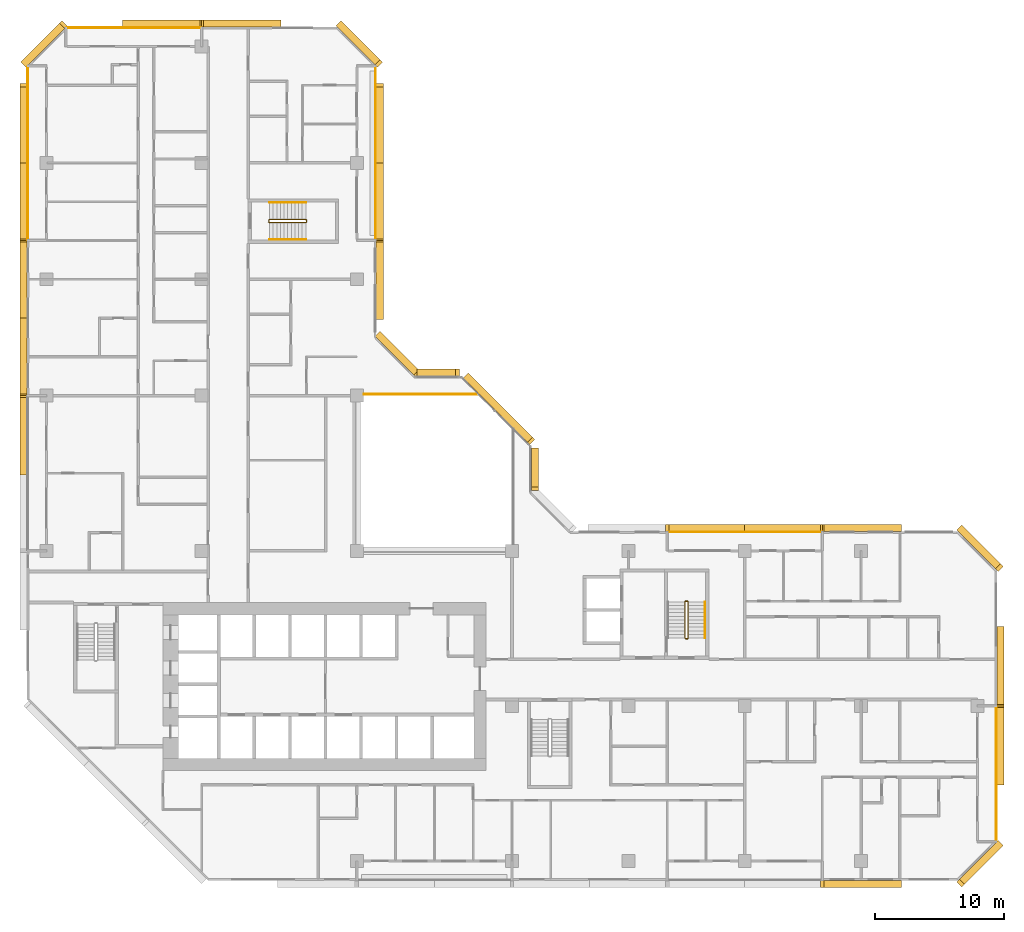
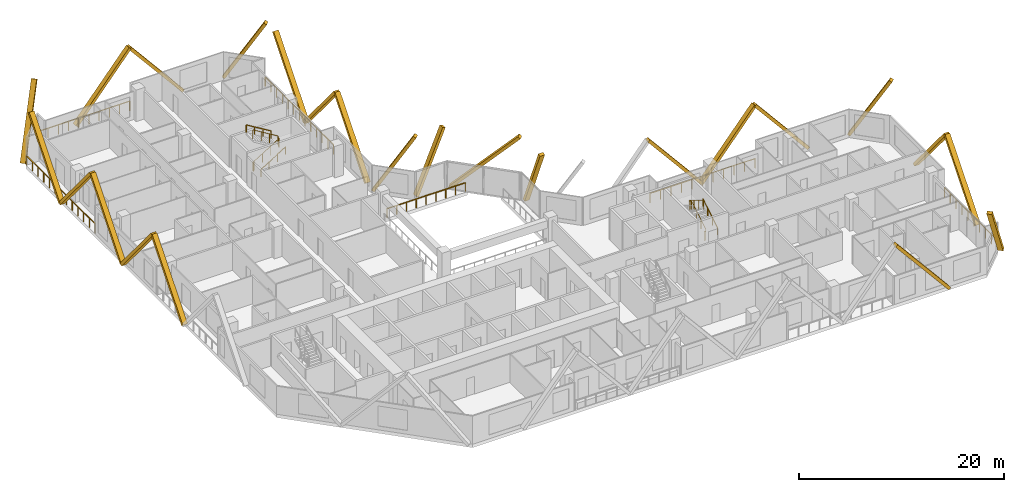
# One storey, part 15 of 15: 24 coverings, 11 railings.
"""IFC4 building model written with IfcOpenShell, lengths in metres."""

import ifcopenshell
import ifcopenshell.guid

model = None  # the IFC model being written
_history = None  # IfcOwnerHistory: only IFC2X3 demands one
_inside = {}  # id of a spatial element -> (the spatial element, [elements in it])
_under = {}  # id of a project, library or spatial element -> (it, [spatial elements below it])
_declared = {}  # id of a project -> (the project, [libraries it declares])
_typed = {}  # id of a type object -> (the type object, [elements of that type])
_made_of = {}  # id of a material, layer set ... -> (it, [elements and type objects made of it])


def new_model(schema):
    """Start an empty IFC model of exactly this schema.

    Asked for "IFC4X3", IfcOpenShell would pick the latest addendum, in which some entities
    have other attributes; the version numbers below select the first issue.
    IFC2X3 requires an IfcOwnerHistory on every rooted entity: one is made here for all.
    """
    global model, _history
    if schema == "IFC4X3":
        model = ifcopenshell.file(schema_version=(4, 3, 0, 0))
    else:
        model = ifcopenshell.file(schema=schema)
    _inside.clear()
    _under.clear()
    _declared.clear()
    _typed.clear()
    _made_of.clear()
    _history = None
    if model.schema == "IFC2X3":
        org = make("IfcOrganization", Name="unknown")
        user = make(
            "IfcPersonAndOrganization",
            ThePerson=make("IfcPerson", FamilyName="unknown"),
            TheOrganization=org,
        )
        app = make(
            "IfcApplication",
            ApplicationDeveloper=org,
            Version="unknown",
            ApplicationFullName="unknown",
            ApplicationIdentifier="unknown",
        )
        _history = make(
            "IfcOwnerHistory",
            OwningUser=user,
            OwningApplication=app,
            ChangeAction="ADDED",
            CreationDate=0,
        )
    return model


def make(cls, **values):
    """One entity of the class cls with the attributes given. An attribute that is None is left unset."""
    return model.create_entity(
        cls, **{name: value for name, value in values.items() if value is not None}
    )


def rooted(cls, **values):
    """An entity with a GlobalId (a new one), such as an element, a storey or a relation."""
    return make(cls, GlobalId=ifcopenshell.guid.new(), OwnerHistory=_history, **values)


def si_unit(unit_type, name, prefix=None):
    """IfcSIUnit, for example si_unit("LENGTHUNIT", "METRE", prefix="MILLI")."""
    return make("IfcSIUnit", UnitType=unit_type, Prefix=prefix, Name=name)


def assignment(units):
    """IfcUnitAssignment: the units of a project."""
    return None if units is None else make("IfcUnitAssignment", Units=units)


def point(xyz):
    """IfcCartesianPoint."""
    return None if xyz is None else make("IfcCartesianPoint", Coordinates=xyz)


def direction(xyz):
    """IfcDirection."""
    return None if xyz is None else make("IfcDirection", DirectionRatios=xyz)


def frame(location, z_axis=None, x_axis=None):
    """IfcAxis2Placement3D, a coordinate frame: its origin and axes. An axis left out is left unset."""
    return make(
        "IfcAxis2Placement3D",
        Location=point(location),
        Axis=direction(z_axis),
        RefDirection=direction(x_axis),
    )


def frame_2d(location, x_axis=None):
    """IfcAxis2Placement2D, a coordinate frame in the plane: its origin and x axis."""
    return make(
        "IfcAxis2Placement2D", Location=point(location), RefDirection=direction(x_axis)
    )


def origin():
    """The frame at (0, 0, 0) with its axes left unset."""
    return frame((0.0, 0.0, 0.0))


def origin_2d():
    """The frame at (0, 0) in the plane with its x axis left unset."""
    return frame_2d((0.0, 0.0))


def place(relative_to, where):
    """IfcLocalPlacement: puts the frame where relative to a parent placement (None: the world)."""
    return make(
        "IfcLocalPlacement", PlacementRelTo=relative_to, RelativePlacement=where
    )


def context(
    kind, dimensions, precision=None, world=None, true_north=None, identifier=None
):
    """IfcGeometricRepresentationContext, for example the 3D "Model" context."""
    return make(
        "IfcGeometricRepresentationContext",
        ContextIdentifier=identifier,
        ContextType=kind,
        CoordinateSpaceDimension=dimensions,
        Precision=precision,
        WorldCoordinateSystem=world,
        TrueNorth=true_north,
    )


def subcontext(parent, identifier, kind, view, scale=None):
    """IfcGeometricRepresentationSubContext, for example "Body" below "Model"."""
    return make(
        "IfcGeometricRepresentationSubContext",
        ContextIdentifier=identifier,
        ContextType=kind,
        ParentContext=parent,
        TargetScale=scale,
        TargetView=view,
    )


def project(units=None, contexts=None):
    """IfcProject with its units and contexts."""
    return rooted(
        "IfcProject",
        Name="project",
        RepresentationContexts=contexts,
        UnitsInContext=assignment(units),
    )


def spatial(cls, under=None, at=None, **own):
    """A site, building, storey or space (cls), placed at a placement, below another one or the project."""
    s = rooted(cls, ObjectPlacement=at, **own)
    if under is not None:
        _under.setdefault(under.id(), (under, []))[1].append(s)
    return s


def profile(cls, at=None, kind="AREA", **sizes):
    """A parametric profile (cls). Its sizes go by their IFC names, for example OverallWidth=200.0."""
    return make(cls, ProfileType=kind, Position=at, **sizes)


def rectangle(**sizes):
    """IfcRectangleProfileDef."""
    return profile("IfcRectangleProfileDef", **sizes)


def extrude(swept, where, along, depth):
    """IfcExtrudedAreaSolid: the profile swept, set in the frame where, extruded along a direction by depth."""
    return make(
        "IfcExtrudedAreaSolid",
        SweptArea=swept,
        Position=where,
        ExtrudedDirection=direction(along),
        Depth=depth,
    )


def shape(context_of_items, identifier, shape_type, items):
    """IfcShapeRepresentation: the items that make up one representation, for example the "Body"."""
    return make(
        "IfcShapeRepresentation",
        ContextOfItems=context_of_items,
        RepresentationIdentifier=identifier,
        RepresentationType=shape_type,
        Items=items,
    )


def material(Name=None, Category=None):
    """IfcMaterial."""
    return make("IfcMaterial", Name=Name, Category=Category)


def material_profile(
    of_material, cross_section, Name=None, Category=None, Priority=None
):
    """IfcMaterialProfile: a cross section and its material."""
    return make(
        "IfcMaterialProfile",
        Name=Name,
        Material=of_material,
        Profile=cross_section,
        Priority=Priority,
        Category=Category,
    )


def profile_set(profiles, Name=None, composite=None):
    """IfcMaterialProfileSet."""
    return make(
        "IfcMaterialProfileSet",
        Name=Name,
        MaterialProfiles=profiles,
        CompositeProfile=composite,
    )


def made_of(thing, what):
    """Note that an element or type object is made of a material, layer set ...; save() writes the relation."""
    if what is not None:
        _made_of.setdefault(what.id(), (what, []))[1].append(thing)
    return thing


def type_object(cls, material=None, **own):
    """A type object (cls), such as IfcWallType, which elements share."""
    return made_of(rooted(cls, **own), material)


def element(
    cls,
    number,
    at=None,
    inside=None,
    cuts=None,
    type_object=None,
    material=None,
    context=None,
    identifier="Body",
    shape_type=None,
    held_by="IfcProductDefinitionShape",
    body=None,
    shapes=None,
    **own,
):
    """One element of the class cls, such as IfcWall. Its Tag is "e" and its number.

    at: its placement. inside: the storey or other place that contains it. cuts: it is an
    opening in that element (IfcRelVoidsElement). A single representation is given by context,
    identifier, shape_type and body (its items); several are given by shapes. held_by: the class
    of the entity that holds the representations. save() writes the other relations.
    """
    e = rooted(cls, Tag="e%d" % number, ObjectPlacement=at, **own)
    if body is not None:
        shapes = [shape(context, identifier, shape_type, body)]
    if shapes is not None:
        e.Representation = make(held_by, Representations=shapes)
    if inside is not None:
        _inside.setdefault(inside.id(), (inside, []))[1].append(e)
    if cuts is not None:
        rooted(
            "IfcRelVoidsElement", RelatingBuildingElement=cuts, RelatedOpeningElement=e
        )
    if type_object is not None:
        _typed.setdefault(type_object.id(), (type_object, []))[1].append(e)
    return made_of(e, material)


def aggregate(whole, parts):
    """IfcRelAggregates: a whole, such as a stair, and the parts it consists of."""
    return rooted("IfcRelAggregates", RelatingObject=whole, RelatedObjects=parts)


def save(model, path):
    """Write the relations noted so far, then the file.

    IfcRelAggregates (storeys below a building ...), IfcRelContainedInSpatialStructure (elements
    in a storey), IfcRelDefinesByType, IfcRelAssociatesMaterial and IfcRelDeclares: one each for
    every whole, place, type object, material and project.
    """
    for whole, parts in _under.values():
        aggregate(whole, parts)
    for where, things in _inside.values():
        rooted(
            "IfcRelContainedInSpatialStructure",
            RelatedElements=things,
            RelatingStructure=where,
        )
    for kind, things in _typed.values():
        rooted("IfcRelDefinesByType", RelatedObjects=things, RelatingType=kind)
    for what, things in _made_of.values():
        rooted("IfcRelAssociatesMaterial", RelatedObjects=things, RelatingMaterial=what)
    for by, libraries in _declared.values():
        rooted("IfcRelDeclares", RelatingContext=by, RelatedDefinitions=libraries)
    model.write(path)


model = new_model("IFC4")

# Units and contexts
model_context = context("Model", 3, precision=1e-05, world=origin(), true_north=direction((0.0, 1.0)))
body_context = subcontext(model_context, "Body", "Model", "MODEL_VIEW")
ifc_project = project(units=[si_unit("LENGTHUNIT", "METRE"), si_unit("AREAUNIT", "SQUARE_METRE"), si_unit("VOLUMEUNIT", "CUBIC_METRE"), si_unit("PLANEANGLEUNIT", "RADIAN"), si_unit("MASSUNIT", "GRAM", prefix="KILO")], contexts=[model_context])

# Site, building, storey
site_placement = place(None, origin())
site = spatial("IfcSite", under=ifc_project, at=site_placement, CompositionType="ELEMENT")
building_placement = place(site_placement, origin())
building = spatial("IfcBuilding", under=site, at=building_placement, Name="Chenar Terraces", CompositionType="ELEMENT")
storey_placement = place(building_placement, frame((0.0, 0.0, 121.89990234375)))
storey = spatial("IfcBuildingStorey", under=building, at=storey_placement, Name="L28", CompositionType="ELEMENT", Elevation=121.89990234375)

# Railings
ifc_material_1 = material(Name="Powder-coated steel", Category="steel")
railing_type_1 = type_object("IfcRailingType", Name="Guard 1100 steel rail with glass infill", PredefinedType="GUARDRAIL", material=ifc_material_1)
railing_1_placement = place(storey_placement, frame((24.550048828125, 36.10009765625, 0.0)))
element("IfcRailing", 1, at=railing_1_placement, inside=storey, type_object=railing_type_1, Name="Guard L28-2", PredefinedType="GUARDRAIL", context=body_context, shape_type="SweptSolid", body=[
    extrude(rectangle(XDim=0.06005859375, YDim=0.06005859375, at=origin_2d()), frame((0.0, 0.0, 1.070068359375), z_axis=(1.0, 0.0, 0.0), x_axis=(0.0, 1.0, 0.0)), (0.0, 0.0, 1.0), 8.849853515625),
    extrude(rectangle(XDim=0.050048828125, YDim=0.050048828125, at=origin_2d()), origin(), (0.0, 0.0, 1.0), 1.0400390625),
    extrude(rectangle(XDim=0.050048828125, YDim=0.050048828125, at=origin_2d()), frame((1.106201171875, 0.0, 0.0)), (0.0, 0.0, 1.0), 1.0400390625),
    extrude(rectangle(XDim=0.050048828125, YDim=0.050048828125, at=origin_2d()), frame((2.21240234375, 0.0, 0.0)), (0.0, 0.0, 1.0), 1.0400390625),
    extrude(rectangle(XDim=0.050048828125, YDim=0.050048828125, at=origin_2d()), frame((3.318603515625, 0.0, 0.0)), (0.0, 0.0, 1.0), 1.0400390625),
    extrude(rectangle(XDim=0.050048828125, YDim=0.050048828125, at=origin_2d()), frame((4.4248046875, 0.0, 0.0)), (0.0, 0.0, 1.0), 1.0400390625),
    extrude(rectangle(XDim=0.050048828125, YDim=0.050048828125, at=origin_2d()), frame((5.53125, 0.0, 0.0)), (0.0, 0.0, 1.0), 1.0400390625),
    extrude(rectangle(XDim=0.050048828125, YDim=0.050048828125, at=origin_2d()), frame((6.637451171875, 0.0, 0.0)), (0.0, 0.0, 1.0), 1.0400390625),
    extrude(rectangle(XDim=0.050048828125, YDim=0.050048828125, at=origin_2d()), frame((7.74365234375, 0.0, 0.0)), (0.0, 0.0, 1.0), 1.0400390625),
    extrude(rectangle(XDim=0.050048828125, YDim=0.050048828125, at=origin_2d()), frame((8.849853515625, 0.0, 0.0)), (0.0, 0.0, 1.0), 1.0400390625),
])
ifc_material_2 = material(Name="Stainless steel and glass", Category="steel")
railing_type_2 = type_object("IfcRailingType", Name="Loggia guard 1150", PredefinedType="GUARDRAIL", material=ifc_material_2)
railing_2_placement = place(storey_placement, frame((25.449951171875, 48.074951171875, 0.0)))
element("IfcRailing", 2, at=railing_2_placement, inside=storey, type_object=railing_type_2, Name="Loggia guard", PredefinedType="GUARDRAIL", context=body_context, shape_type="SweptSolid", body=[
    extrude(rectangle(XDim=0.048095703125, YDim=0.048095703125, at=origin_2d()), frame((0.0, 0.0, 1.1259765625), z_axis=(0.0, 1.0, 0.0), x_axis=(-1.0, 0.0, 0.0)), (0.0, 0.0, 1.0), 13.35009765625),
    extrude(rectangle(XDim=0.0419921875, YDim=0.0419921875, at=origin_2d()), origin(), (0.0, 0.0, 1.0), 1.101806640625),
    extrude(rectangle(XDim=0.0419921875, YDim=0.0419921875, at=origin_2d()), frame((0.0, 1.112548828125, 0.0)), (0.0, 0.0, 1.0), 1.101806640625),
    extrude(rectangle(XDim=0.0419921875, YDim=0.0419921875, at=origin_2d()), frame((0.0, 2.22509765625, 0.0)), (0.0, 0.0, 1.0), 1.101806640625),
    extrude(rectangle(XDim=0.0419921875, YDim=0.0419921875, at=origin_2d()), frame((0.0, 3.33740234375, 0.0)), (0.0, 0.0, 1.0), 1.101806640625),
    extrude(rectangle(XDim=0.0419921875, YDim=0.0419921875, at=origin_2d()), frame((0.0, 4.449951171875, 0.0)), (0.0, 0.0, 1.0), 1.101806640625),
    extrude(rectangle(XDim=0.0419921875, YDim=0.0419921875, at=origin_2d()), frame((0.0, 5.5625, 0.0)), (0.0, 0.0, 1.0), 1.101806640625),
    extrude(rectangle(XDim=0.0419921875, YDim=0.0419921875, at=origin_2d()), frame((0.0, 6.675048828125, 0.0)), (0.0, 0.0, 1.0), 1.101806640625),
    extrude(rectangle(XDim=0.0419921875, YDim=0.0419921875, at=origin_2d()), frame((0.0, 7.78759765625, 0.0)), (0.0, 0.0, 1.0), 1.101806640625),
    extrude(rectangle(XDim=0.0419921875, YDim=0.0419921875, at=origin_2d()), frame((0.0, 8.900146484375, 0.0)), (0.0, 0.0, 1.0), 1.101806640625),
    extrude(rectangle(XDim=0.0419921875, YDim=0.0419921875, at=origin_2d()), frame((0.0, 10.0126953125, 0.0)), (0.0, 0.0, 1.0), 1.101806640625),
    extrude(rectangle(XDim=0.0419921875, YDim=0.0419921875, at=origin_2d()), frame((0.0, 11.125, 0.0)), (0.0, 0.0, 1.0), 1.101806640625),
    extrude(rectangle(XDim=0.0419921875, YDim=0.0419921875, at=origin_2d()), frame((0.0, 12.237548828125, 0.0)), (0.0, 0.0, 1.0), 1.101806640625),
    extrude(rectangle(XDim=0.0419921875, YDim=0.0419921875, at=origin_2d()), frame((0.0, 13.35009765625, 0.0)), (0.0, 0.0, 1.0), 1.101806640625),
])
railing_3_placement = place(storey_placement, frame((73.449951171875, 1.574951171875, 0.0)))
element("IfcRailing", 3, at=railing_3_placement, inside=storey, type_object=railing_type_2, Name="Loggia guard", PredefinedType="GUARDRAIL", context=body_context, shape_type="SweptSolid", body=[
    extrude(rectangle(XDim=0.048095703125, YDim=0.048095703125, at=origin_2d()), frame((0.0, 0.0, 1.1259765625), z_axis=(0.0, 1.0, 0.0), x_axis=(-1.0, 0.0, 0.0)), (0.0, 0.0, 1.0), 10.35009765625),
    extrude(rectangle(XDim=0.0419921875, YDim=0.0419921875, at=origin_2d()), origin(), (0.0, 0.0, 1.0), 1.101806640625),
    extrude(rectangle(XDim=0.0419921875, YDim=0.0419921875, at=origin_2d()), frame((0.0, 1.14990234375, 0.0)), (0.0, 0.0, 1.0), 1.101806640625),
    extrude(rectangle(XDim=0.0419921875, YDim=0.0419921875, at=origin_2d()), frame((0.0, 2.300048828125, 0.0)), (0.0, 0.0, 1.0), 1.101806640625),
    extrude(rectangle(XDim=0.0419921875, YDim=0.0419921875, at=origin_2d()), frame((0.0, 3.449951171875, 0.0)), (0.0, 0.0, 1.0), 1.101806640625),
    extrude(rectangle(XDim=0.0419921875, YDim=0.0419921875, at=origin_2d()), frame((0.0, 4.60009765625, 0.0)), (0.0, 0.0, 1.0), 1.101806640625),
    extrude(rectangle(XDim=0.0419921875, YDim=0.0419921875, at=origin_2d()), frame((0.0, 5.75, 0.0)), (0.0, 0.0, 1.0), 1.101806640625),
    extrude(rectangle(XDim=0.0419921875, YDim=0.0419921875, at=origin_2d()), frame((0.0, 6.900146484375, 0.0)), (0.0, 0.0, 1.0), 1.101806640625),
    extrude(rectangle(XDim=0.0419921875, YDim=0.0419921875, at=origin_2d()), frame((0.0, 8.050048828125, 0.0)), (0.0, 0.0, 1.0), 1.101806640625),
    extrude(rectangle(XDim=0.0419921875, YDim=0.0419921875, at=origin_2d()), frame((0.0, 9.2001953125, 0.0)), (0.0, 0.0, 1.0), 1.101806640625),
    extrude(rectangle(XDim=0.0419921875, YDim=0.0419921875, at=origin_2d()), frame((0.0, 10.35009765625, 0.0)), (0.0, 0.0, 1.0), 1.101806640625),
])
railing_4_placement = place(storey_placement, frame((59.925048828125, 25.449951171875, 0.0)))
element("IfcRailing", 4, at=railing_4_placement, inside=storey, type_object=railing_type_2, Name="Loggia guard", PredefinedType="GUARDRAIL", context=body_context, shape_type="SweptSolid", body=[
    extrude(rectangle(XDim=0.048095703125, YDim=0.048095703125, at=origin_2d()), frame((0.0, 0.0, 1.1259765625), z_axis=(-1.0, 0.0, 0.0), x_axis=(0.0, -1.0, 0.0)), (0.0, 0.0, 1.0), 11.85009765625),
    extrude(rectangle(XDim=0.0419921875, YDim=0.0419921875, at=origin_2d()), origin(), (0.0, 0.0, 1.0), 1.101806640625),
    extrude(rectangle(XDim=0.0419921875, YDim=0.0419921875, at=origin_2d()), frame((-1.18505859375, 0.0, 0.0)), (0.0, 0.0, 1.0), 1.101806640625),
    extrude(rectangle(XDim=0.0419921875, YDim=0.0419921875, at=origin_2d()), frame((-2.3701171875, 0.0, 0.0)), (0.0, 0.0, 1.0), 1.101806640625),
    extrude(rectangle(XDim=0.0419921875, YDim=0.0419921875, at=origin_2d()), frame((-3.554931640625, 0.0, 0.0)), (0.0, 0.0, 1.0), 1.101806640625),
    extrude(rectangle(XDim=0.0419921875, YDim=0.0419921875, at=origin_2d()), frame((-4.739990234375, 0.0, 0.0)), (0.0, 0.0, 1.0), 1.101806640625),
    extrude(rectangle(XDim=0.0419921875, YDim=0.0419921875, at=origin_2d()), frame((-5.925048828125, 0.0, 0.0)), (0.0, 0.0, 1.0), 1.101806640625),
    extrude(rectangle(XDim=0.0419921875, YDim=0.0419921875, at=origin_2d()), frame((-7.110107421875, 0.0, 0.0)), (0.0, 0.0, 1.0), 1.101806640625),
    extrude(rectangle(XDim=0.0419921875, YDim=0.0419921875, at=origin_2d()), frame((-8.295166015625, 0.0, 0.0)), (0.0, 0.0, 1.0), 1.101806640625),
    extrude(rectangle(XDim=0.0419921875, YDim=0.0419921875, at=origin_2d()), frame((-9.47998046875, 0.0, 0.0)), (0.0, 0.0, 1.0), 1.101806640625),
    extrude(rectangle(XDim=0.0419921875, YDim=0.0419921875, at=origin_2d()), frame((-10.6650390625, 0.0, 0.0)), (0.0, 0.0, 1.0), 1.101806640625),
    extrude(rectangle(XDim=0.0419921875, YDim=0.0419921875, at=origin_2d()), frame((-11.85009765625, 0.0, 0.0)), (0.0, 0.0, 1.0), 1.101806640625),
])
railing_5_placement = place(storey_placement, frame((11.925048828125, 64.449951171875, 0.0)))
element("IfcRailing", 5, at=railing_5_placement, inside=storey, type_object=railing_type_2, Name="Loggia guard", PredefinedType="GUARDRAIL", context=body_context, shape_type="SweptSolid", body=[
    extrude(rectangle(XDim=0.048095703125, YDim=0.048095703125, at=origin_2d()), frame((0.0, 0.0, 1.1259765625), z_axis=(-1.0, 0.0, 0.0), x_axis=(0.0, -1.0, 0.0)), (0.0, 0.0, 1.0), 10.35009765625),
    extrude(rectangle(XDim=0.0419921875, YDim=0.0419921875, at=origin_2d()), origin(), (0.0, 0.0, 1.0), 1.101806640625),
    extrude(rectangle(XDim=0.0419921875, YDim=0.0419921875, at=origin_2d()), frame((-1.14990234375, 0.0, 0.0)), (0.0, 0.0, 1.0), 1.101806640625),
    extrude(rectangle(XDim=0.0419921875, YDim=0.0419921875, at=origin_2d()), frame((-2.300048828125, 0.0, 0.0)), (0.0, 0.0, 1.0), 1.101806640625),
    extrude(rectangle(XDim=0.0419921875, YDim=0.0419921875, at=origin_2d()), frame((-3.449951171875, 0.0, 0.0)), (0.0, 0.0, 1.0), 1.101806640625),
    extrude(rectangle(XDim=0.0419921875, YDim=0.0419921875, at=origin_2d()), frame((-4.60009765625, 0.0, 0.0)), (0.0, 0.0, 1.0), 1.101806640625),
    extrude(rectangle(XDim=0.0419921875, YDim=0.0419921875, at=origin_2d()), frame((-5.75, 0.0, 0.0)), (0.0, 0.0, 1.0), 1.101806640625),
    extrude(rectangle(XDim=0.0419921875, YDim=0.0419921875, at=origin_2d()), frame((-6.900146484375, 0.0, 0.0)), (0.0, 0.0, 1.0), 1.101806640625),
    extrude(rectangle(XDim=0.0419921875, YDim=0.0419921875, at=origin_2d()), frame((-8.050048828125, 0.0, 0.0)), (0.0, 0.0, 1.0), 1.101806640625),
    extrude(rectangle(XDim=0.0419921875, YDim=0.0419921875, at=origin_2d()), frame((-9.2001953125, 0.0, 0.0)), (0.0, 0.0, 1.0), 1.101806640625),
    extrude(rectangle(XDim=0.0419921875, YDim=0.0419921875, at=origin_2d()), frame((-10.35009765625, 0.0, 0.0)), (0.0, 0.0, 1.0), 1.101806640625),
])
railing_6_placement = place(storey_placement, frame((-1.449951171875, 61.425048828125, 0.0)))
element("IfcRailing", 6, at=railing_6_placement, inside=storey, type_object=railing_type_2, Name="Loggia guard", PredefinedType="GUARDRAIL", context=body_context, shape_type="SweptSolid", body=[
    extrude(rectangle(XDim=0.048095703125, YDim=0.048095703125, at=origin_2d()), frame((0.0, 0.0, 1.1259765625), z_axis=(0.0, -1.0, 0.0), x_axis=(1.0, 0.0, 0.0)), (0.0, 0.0, 1.0), 13.35009765625),
    extrude(rectangle(XDim=0.0419921875, YDim=0.0419921875, at=origin_2d()), origin(), (0.0, 0.0, 1.0), 1.101806640625),
    extrude(rectangle(XDim=0.0419921875, YDim=0.0419921875, at=origin_2d()), frame((0.0, -1.112548828125, 0.0)), (0.0, 0.0, 1.0), 1.101806640625),
    extrude(rectangle(XDim=0.0419921875, YDim=0.0419921875, at=origin_2d()), frame((0.0, -2.22509765625, 0.0)), (0.0, 0.0, 1.0), 1.101806640625),
    extrude(rectangle(XDim=0.0419921875, YDim=0.0419921875, at=origin_2d()), frame((0.0, -3.33740234375, 0.0)), (0.0, 0.0, 1.0), 1.101806640625),
    extrude(rectangle(XDim=0.0419921875, YDim=0.0419921875, at=origin_2d()), frame((0.0, -4.449951171875, 0.0)), (0.0, 0.0, 1.0), 1.101806640625),
    extrude(rectangle(XDim=0.0419921875, YDim=0.0419921875, at=origin_2d()), frame((0.0, -5.5625, 0.0)), (0.0, 0.0, 1.0), 1.101806640625),
    extrude(rectangle(XDim=0.0419921875, YDim=0.0419921875, at=origin_2d()), frame((0.0, -6.675048828125, 0.0)), (0.0, 0.0, 1.0), 1.101806640625),
    extrude(rectangle(XDim=0.0419921875, YDim=0.0419921875, at=origin_2d()), frame((0.0, -7.78759765625, 0.0)), (0.0, 0.0, 1.0), 1.101806640625),
    extrude(rectangle(XDim=0.0419921875, YDim=0.0419921875, at=origin_2d()), frame((0.0, -8.900146484375, 0.0)), (0.0, 0.0, 1.0), 1.101806640625),
    extrude(rectangle(XDim=0.0419921875, YDim=0.0419921875, at=origin_2d()), frame((0.0, -10.0126953125, 0.0)), (0.0, 0.0, 1.0), 1.101806640625),
    extrude(rectangle(XDim=0.0419921875, YDim=0.0419921875, at=origin_2d()), frame((0.0, -11.125, 0.0)), (0.0, 0.0, 1.0), 1.101806640625),
    extrude(rectangle(XDim=0.0419921875, YDim=0.0419921875, at=origin_2d()), frame((0.0, -12.237548828125, 0.0)), (0.0, 0.0, 1.0), 1.101806640625),
    extrude(rectangle(XDim=0.0419921875, YDim=0.0419921875, at=origin_2d()), frame((0.0, -13.35009765625, 0.0)), (0.0, 0.0, 1.0), 1.101806640625),
])
ifc_material_3 = material(Name="Powder-coated steel", Category="steel")
railing_type_3 = type_object("IfcRailingType", Name="Stair guard 1100", PredefinedType="GUARDRAIL", material=ifc_material_3)
railing_7_placement = place(storey_placement, frame((49.375, 17.25, 3.75)))
element("IfcRailing", 7, at=railing_7_placement, inside=storey, type_object=railing_type_3, Name="L28 ST3 stair guard 1", PredefinedType="GUARDRAIL", context=body_context, shape_type="SweptSolid", body=[
    extrude(rectangle(XDim=0.048095703125, YDim=0.048095703125, at=origin_2d()), frame((0.0, 0.0, 1.076171875), z_axis=(0.0, 0.854202870247, -0.519939858505), x_axis=(-1.0, 0.0, 0.0)), (0.0, 0.0, 1.0), 3.278076171875),
    extrude(rectangle(XDim=0.048095703125, YDim=0.048095703125, at=origin_2d()), frame((0.0, 2.800048828125, -0.62841796875), z_axis=(0.270899902878, 0.270899902878, -0.923702595667), x_axis=(-0.707106781187, 0.707106781187, 0.0)), (0.0, 0.0, 1.0), 0.184814453125),
    extrude(rectangle(XDim=0.048095703125, YDim=0.048095703125, at=origin_2d()), frame((0.050048828125, 2.85009765625, -0.798828125), z_axis=(1.0, 0.0, 0.0), x_axis=(0.0, 1.0, 0.0)), (0.0, 0.0, 1.0), 0.14990234375),
    extrude(rectangle(XDim=0.048095703125, YDim=0.048095703125, at=origin_2d()), frame((0.199951171875, 2.85009765625, -0.798828125), z_axis=(0.707106781187, -0.707106781187, 0.0), x_axis=(0.707106781187, 0.707106781187, 0.0)), (0.0, 0.0, 1.0), 0.07080078125),
    extrude(rectangle(XDim=0.048095703125, YDim=0.048095703125, at=origin_2d()), frame((0.25, 2.800048828125, -0.798828125), z_axis=(0.0, -0.854202870247, -0.519939858505), x_axis=(1.0, 0.0, 0.0)), (0.0, 0.0, 1.0), 3.278076171875),
    extrude(rectangle(XDim=0.048095703125, YDim=0.048095703125, at=origin_2d()), frame((0.25, 0.0, -2.50341796875), z_axis=(-0.270899902878, -0.270899902878, -0.923702595667), x_axis=(0.707106781187, -0.707106781187, 0.0)), (0.0, 0.0, 1.0), 0.184814453125),
    extrude(rectangle(XDim=0.048095703125, YDim=0.048095703125, at=origin_2d()), frame((0.199951171875, -0.050048828125, -2.673828125), z_axis=(-1.0, 0.0, 0.0), x_axis=(0.0, -1.0, 0.0)), (0.0, 0.0, 1.0), 0.14990234375),
    extrude(rectangle(XDim=0.0419921875, YDim=0.0419921875, at=origin_2d()), origin(), (0.0, 0.0, 1.0), 1.052001953125),
    extrude(rectangle(XDim=0.0419921875, YDim=0.0419921875, at=origin_2d()), frame((0.0, 0.933349609375, -0.568115234375)), (0.0, 0.0, 1.0), 1.052001953125),
    extrude(rectangle(XDim=0.0419921875, YDim=0.0419921875, at=origin_2d()), frame((0.0, 1.86669921875, -1.13623046875)), (0.0, 0.0, 1.0), 1.052001953125),
    extrude(rectangle(XDim=0.0419921875, YDim=0.0419921875, at=origin_2d()), frame((0.0, 2.800048828125, -1.704345703125)), (0.0, 0.0, 1.0), 1.052001953125),
    extrude(rectangle(XDim=0.0419921875, YDim=0.0419921875, at=origin_2d()), frame((0.050048828125, 2.85009765625, -1.875)), (0.0, 0.0, 1.0), 1.052001953125),
    extrude(rectangle(XDim=0.0419921875, YDim=0.0419921875, at=origin_2d()), frame((0.199951171875, 2.85009765625, -1.875)), (0.0, 0.0, 1.0), 1.052001953125),
    extrude(rectangle(XDim=0.0419921875, YDim=0.0419921875, at=origin_2d()), frame((0.25, 2.800048828125, -1.875)), (0.0, 0.0, 1.0), 1.052001953125),
    extrude(rectangle(XDim=0.0419921875, YDim=0.0419921875, at=origin_2d()), frame((0.25, 1.86669921875, -2.443115234375)), (0.0, 0.0, 1.0), 1.052001953125),
    extrude(rectangle(XDim=0.0419921875, YDim=0.0419921875, at=origin_2d()), frame((0.25, 0.933349609375, -3.01123046875)), (0.0, 0.0, 1.0), 1.052001953125),
    extrude(rectangle(XDim=0.0419921875, YDim=0.0419921875, at=origin_2d()), frame((0.25, 0.0, -3.579345703125)), (0.0, 0.0, 1.0), 1.052001953125),
    extrude(rectangle(XDim=0.0419921875, YDim=0.0419921875, at=origin_2d()), frame((0.199951171875, -0.050048828125, -3.75)), (0.0, 0.0, 1.0), 1.052001953125),
    extrude(rectangle(XDim=0.0419921875, YDim=0.0419921875, at=origin_2d()), frame((0.050048828125, -0.050048828125, -3.75)), (0.0, 0.0, 1.0), 1.052001953125),
])
railing_8_placement = place(storey_placement, frame((17.25, 49.625, 3.75)))
element("IfcRailing", 8, at=railing_8_placement, inside=storey, type_object=railing_type_3, Name="L28 ST4 stair guard 1", PredefinedType="GUARDRAIL", context=body_context, shape_type="SweptSolid", body=[
    extrude(rectangle(XDim=0.048095703125, YDim=0.048095703125, at=origin_2d()), frame((0.0, 0.0, 1.076171875), z_axis=(0.854202870247, 0.0, -0.519939858505), x_axis=(0.0, 1.0, 0.0)), (0.0, 0.0, 1.0), 3.278076171875),
    extrude(rectangle(XDim=0.048095703125, YDim=0.048095703125, at=origin_2d()), frame((2.800048828125, 0.0, -0.62841796875), z_axis=(0.270899902878, -0.270899902878, -0.923702595667), x_axis=(0.707106781187, 0.707106781187, 0.0)), (0.0, 0.0, 1.0), 0.184814453125),
    extrude(rectangle(XDim=0.048095703125, YDim=0.048095703125, at=origin_2d()), frame((2.85009765625, -0.050048828125, -0.798828125), z_axis=(0.0, -1.0, 0.0), x_axis=(1.0, 0.0, 0.0)), (0.0, 0.0, 1.0), 0.14990234375),
    extrude(rectangle(XDim=0.048095703125, YDim=0.048095703125, at=origin_2d()), frame((2.85009765625, -0.199951171875, -0.798828125), z_axis=(-0.707106781187, -0.707106781187, 0.0), x_axis=(0.707106781187, -0.707106781187, 0.0)), (0.0, 0.0, 1.0), 0.07080078125),
    extrude(rectangle(XDim=0.048095703125, YDim=0.048095703125, at=origin_2d()), frame((2.800048828125, -0.25, -0.798828125), z_axis=(-0.854202870247, 0.0, -0.519939858505), x_axis=(0.0, -1.0, 0.0)), (0.0, 0.0, 1.0), 3.278076171875),
    extrude(rectangle(XDim=0.048095703125, YDim=0.048095703125, at=origin_2d()), frame((0.0, -0.25, -2.50341796875), z_axis=(-0.270899902878, 0.270899902878, -0.923702595667), x_axis=(-0.707106781187, -0.707106781187, 0.0)), (0.0, 0.0, 1.0), 0.184814453125),
    extrude(rectangle(XDim=0.048095703125, YDim=0.048095703125, at=origin_2d()), frame((-0.050048828125, -0.199951171875, -2.673828125), z_axis=(0.0, 1.0, 0.0), x_axis=(-1.0, 0.0, 0.0)), (0.0, 0.0, 1.0), 0.14990234375),
    extrude(rectangle(XDim=0.0419921875, YDim=0.0419921875, at=origin_2d()), origin(), (0.0, 0.0, 1.0), 1.052001953125),
    extrude(rectangle(XDim=0.0419921875, YDim=0.0419921875, at=origin_2d()), frame((0.933349609375, 0.0, -0.568115234375)), (0.0, 0.0, 1.0), 1.052001953125),
    extrude(rectangle(XDim=0.0419921875, YDim=0.0419921875, at=origin_2d()), frame((1.86669921875, 0.0, -1.13623046875)), (0.0, 0.0, 1.0), 1.052001953125),
    extrude(rectangle(XDim=0.0419921875, YDim=0.0419921875, at=origin_2d()), frame((2.800048828125, 0.0, -1.704345703125)), (0.0, 0.0, 1.0), 1.052001953125),
    extrude(rectangle(XDim=0.0419921875, YDim=0.0419921875, at=origin_2d()), frame((2.85009765625, -0.050048828125, -1.875)), (0.0, 0.0, 1.0), 1.052001953125),
    extrude(rectangle(XDim=0.0419921875, YDim=0.0419921875, at=origin_2d()), frame((2.85009765625, -0.199951171875, -1.875)), (0.0, 0.0, 1.0), 1.052001953125),
    extrude(rectangle(XDim=0.0419921875, YDim=0.0419921875, at=origin_2d()), frame((2.800048828125, -0.25, -1.875)), (0.0, 0.0, 1.0), 1.052001953125),
    extrude(rectangle(XDim=0.0419921875, YDim=0.0419921875, at=origin_2d()), frame((1.86669921875, -0.25, -2.443115234375)), (0.0, 0.0, 1.0), 1.052001953125),
    extrude(rectangle(XDim=0.0419921875, YDim=0.0419921875, at=origin_2d()), frame((0.933349609375, -0.25, -3.01123046875)), (0.0, 0.0, 1.0), 1.052001953125),
    extrude(rectangle(XDim=0.0419921875, YDim=0.0419921875, at=origin_2d()), frame((0.0, -0.25, -3.579345703125)), (0.0, 0.0, 1.0), 1.052001953125),
    extrude(rectangle(XDim=0.0419921875, YDim=0.0419921875, at=origin_2d()), frame((-0.050048828125, -0.199951171875, -3.75)), (0.0, 0.0, 1.0), 1.052001953125),
    extrude(rectangle(XDim=0.0419921875, YDim=0.0419921875, at=origin_2d()), frame((-0.050048828125, -0.050048828125, -3.75)), (0.0, 0.0, 1.0), 1.052001953125),
])
ifc_material_4 = material(Name="Powder-coated steel", Category="steel")
railing_type_4 = type_object("IfcRailingType", Name="Stair handrail 900", PredefinedType="HANDRAIL", material=ifc_material_4)
railing_9_placement = place(storey_placement, frame((50.925048828125, 17.25, 0.170654296875)))
element("IfcRailing", 9, at=railing_9_placement, inside=storey, type_object=railing_type_4, Name="L28 ST3 stair handrail 1", PredefinedType="HANDRAIL", context=body_context, shape_type="SweptSolid", body=[
    extrude(rectangle(XDim=0.048095703125, YDim=0.048095703125, at=origin_2d()), frame((0.0, 0.0, 0.8759765625), z_axis=(0.0, 0.854202870247, 0.519939858505), x_axis=(-1.0, 0.0, 0.0)), (0.0, 0.0, 1.0), 3.278076171875),
    extrude(rectangle(XDim=0.0419921875, YDim=0.0419921875, at=origin_2d()), origin(), (0.0, 0.0, 1.0), 0.851806640625),
    extrude(rectangle(XDim=0.0419921875, YDim=0.0419921875, at=origin_2d()), frame((0.0, 0.933349609375, 0.568115234375)), (0.0, 0.0, 1.0), 0.851806640625),
    extrude(rectangle(XDim=0.0419921875, YDim=0.0419921875, at=origin_2d()), frame((0.0, 1.86669921875, 1.13623046875)), (0.0, 0.0, 1.0), 0.851806640625),
    extrude(rectangle(XDim=0.0419921875, YDim=0.0419921875, at=origin_2d()), frame((0.0, 2.800048828125, 1.704345703125)), (0.0, 0.0, 1.0), 0.851806640625),
])
railing_10_placement = place(storey_placement, frame((17.25, 48.074951171875, 0.170654296875)))
element("IfcRailing", 10, at=railing_10_placement, inside=storey, type_object=railing_type_4, Name="L28 ST4 stair handrail 1", PredefinedType="HANDRAIL", context=body_context, shape_type="SweptSolid", body=[
    extrude(rectangle(XDim=0.048095703125, YDim=0.048095703125, at=origin_2d()), frame((0.0, 0.0, 0.8759765625), z_axis=(0.854202870247, 0.0, 0.519939858505), x_axis=(0.0, 1.0, 0.0)), (0.0, 0.0, 1.0), 3.278076171875),
    extrude(rectangle(XDim=0.0419921875, YDim=0.0419921875, at=origin_2d()), origin(), (0.0, 0.0, 1.0), 0.851806640625),
    extrude(rectangle(XDim=0.0419921875, YDim=0.0419921875, at=origin_2d()), frame((0.933349609375, 0.0, 0.568115234375)), (0.0, 0.0, 1.0), 0.851806640625),
    extrude(rectangle(XDim=0.0419921875, YDim=0.0419921875, at=origin_2d()), frame((1.86669921875, 0.0, 1.13623046875)), (0.0, 0.0, 1.0), 0.851806640625),
    extrude(rectangle(XDim=0.0419921875, YDim=0.0419921875, at=origin_2d()), frame((2.800048828125, 0.0, 1.704345703125)), (0.0, 0.0, 1.0), 0.851806640625),
])
railing_11_placement = place(storey_placement, frame((20.050048828125, 50.925048828125, 2.045654296875)))
element("IfcRailing", 11, at=railing_11_placement, inside=storey, type_object=railing_type_4, Name="L28 ST4 stair handrail 2", PredefinedType="HANDRAIL", context=body_context, shape_type="SweptSolid", body=[
    extrude(rectangle(XDim=0.048095703125, YDim=0.048095703125, at=origin_2d()), frame((0.0, 0.0, 0.8759765625), z_axis=(-0.854202870247, 0.0, 0.519939858505), x_axis=(0.0, -1.0, 0.0)), (0.0, 0.0, 1.0), 3.278076171875),
    extrude(rectangle(XDim=0.0419921875, YDim=0.0419921875, at=origin_2d()), origin(), (0.0, 0.0, 1.0), 0.851806640625),
    extrude(rectangle(XDim=0.0419921875, YDim=0.0419921875, at=origin_2d()), frame((-0.933349609375, 0.0, 0.568115234375)), (0.0, 0.0, 1.0), 0.851806640625),
    extrude(rectangle(XDim=0.0419921875, YDim=0.0419921875, at=origin_2d()), frame((-1.86669921875, 0.0, 1.13623046875)), (0.0, 0.0, 1.0), 0.851806640625),
    extrude(rectangle(XDim=0.0419921875, YDim=0.0419921875, at=origin_2d()), frame((-2.800048828125, 0.0, 1.704345703125)), (0.0, 0.0, 1.0), 0.851806640625),
])

# Coverings
ifc_material_5 = material(Name="Terracotta", Category="masonry")
ifc_material_profile = material_profile(ifc_material_5, rectangle(XDim=0.550048828125, YDim=0.330078125, at=origin_2d()), Name="Terracotta baguette 550 x 330")
ifc_profile_set = profile_set([ifc_material_profile], Name="Terracotta")
covering_type = type_object("IfcCoveringType", Name="Terracotta baguette 550 x 330", PredefinedType="CLADDING", material=ifc_profile_set)
for number, where, z_axis, x_axis, name in (
    (12, (66.0, 25.77490234375, 0.150146484375), (-0.640186961885, 0.0, 0.768219144407), (0.0, -1.0, 0.0), "Terracotta baguette"),
    (13, (60.0, 25.77490234375, 7.35009765625), (-0.640186961885, 0.0, -0.768219144407), (0.0, -1.0, 0.0), "Terracotta baguette"),
    (14, (54.0, 25.77490234375, 0.150146484375), (-0.640186961885, 0.0, 0.768219144407), (0.0, -1.0, 0.0), "Terracotta baguette"),
):
    element("IfcCovering", number, at=place(storey_placement, frame(where, z_axis=z_axis, x_axis=x_axis)), inside=storey, type_object=covering_type, Name=name, PredefinedType="CLADDING", context=body_context, shape_type="SweptSolid", body=[
        extrude(rectangle(XDim=0.550048828125, YDim=0.330078125, at=origin_2d()), origin(), (0.0, 0.0, 1.0), 9.372314453125),
    ])
covering_1_placement = place(storey_placement, frame((37.77490234375, 28.800048828125, 7.35009765625), z_axis=(0.0, 0.384617607118, -0.923075997031), x_axis=(-1.0, 0.0, 0.0)))
element("IfcCovering", 15, at=covering_1_placement, inside=storey, type_object=covering_type, Name="Terracotta baguette", PredefinedType="CLADDING", context=body_context, shape_type="SweptSolid", body=[
    extrude(rectangle(XDim=0.550048828125, YDim=0.330078125, at=origin_2d()), origin(), (0.0, 0.0, 1.0), 7.800048828125),
])
covering_2_placement = place(storey_placement, frame((37.482421875, 32.506591796875, 7.35009765625), z_axis=(-0.494240720479, 0.494240720479, -0.715158877761), x_axis=(-0.707106781187, -0.707106781187, 0.0)))
element("IfcCovering", 16, at=covering_2_placement, inside=storey, type_object=covering_type, Name="Terracotta baguette", PredefinedType="CLADDING", context=body_context, shape_type="SweptSolid", body=[
    extrude(rectangle(XDim=0.550048828125, YDim=0.330078125, at=origin_2d()), origin(), (0.0, 0.0, 1.0), 10.067626953125),
])
covering_3_placement = place(storey_placement, frame((31.800048828125, 37.77490234375, 7.35009765625), z_axis=(-0.384617607118, 0.0, -0.923075997031), x_axis=(0.0, -1.0, 0.0)))
element("IfcCovering", 17, at=covering_3_placement, inside=storey, type_object=covering_type, Name="Terracotta baguette", PredefinedType="CLADDING", context=body_context, shape_type="SweptSolid", body=[
    extrude(rectangle(XDim=0.550048828125, YDim=0.330078125, at=origin_2d()), origin(), (0.0, 0.0, 1.0), 7.800048828125),
])
covering_4_placement = place(storey_placement, frame((28.6943359375, 37.6943359375, 7.35009765625), z_axis=(-0.358955436736, 0.358984650982, -0.861557319507), x_axis=(-0.70713555402, -0.707078007182, 0.0)))
element("IfcCovering", 18, at=covering_4_placement, inside=storey, type_object=covering_type, Name="Terracotta baguette", PredefinedType="CLADDING", context=body_context, shape_type="SweptSolid", body=[
    extrude(rectangle(XDim=0.550048828125, YDim=0.330078125, at=origin_2d()), origin(), (0.0, 0.0, 1.0), 8.35693359375),
])
for number, where, z_axis, x_axis, name in (
    (19, (25.77490234375, 42.0, 0.150146484375), (0.0, 0.640186961885, 0.768219144407), (-1.0, 0.0, 0.0), "Terracotta baguette"),
    (20, (25.77490234375, 48.0, 7.35009765625), (0.0, 0.640186961885, -0.768219144407), (-1.0, 0.0, 0.0), "Terracotta baguette"),
    (21, (25.77490234375, 54.0, 0.150146484375), (0.0, 0.640186961885, 0.768219144407), (-1.0, 0.0, 0.0), "Terracotta baguette"),
):
    element("IfcCovering", number, at=place(storey_placement, frame(where, z_axis=z_axis, x_axis=x_axis)), inside=storey, type_object=covering_type, Name=name, PredefinedType="CLADDING", context=body_context, shape_type="SweptSolid", body=[
        extrude(rectangle(XDim=0.550048828125, YDim=0.330078125, at=origin_2d()), origin(), (0.0, 0.0, 1.0), 9.372314453125),
    ])
covering_5_placement = place(storey_placement, frame((25.6943359375, 61.6943359375, 7.35009765625), z_axis=(-0.358955436736, 0.358984650982, -0.861557319507), x_axis=(-0.70713555402, -0.707078007182, 0.0)))
element("IfcCovering", 22, at=covering_5_placement, inside=storey, type_object=covering_type, Name="Terracotta baguette", PredefinedType="CLADDING", context=body_context, shape_type="SweptSolid", body=[
    extrude(rectangle(XDim=0.550048828125, YDim=0.330078125, at=origin_2d()), origin(), (0.0, 0.0, 1.0), 8.35693359375),
])
for number, where, z_axis, x_axis, name in (
    (23, (18.0, 64.77490234375, 0.150146484375), (-0.640186961885, 0.0, 0.768219144407), (0.0, -1.0, 0.0), "Terracotta baguette"),
    (24, (12.0, 64.77490234375, 7.35009765625), (-0.640186961885, 0.0, -0.768219144407), (0.0, -1.0, 0.0), "Terracotta baguette"),
):
    element("IfcCovering", number, at=place(storey_placement, frame(where, z_axis=z_axis, x_axis=x_axis)), inside=storey, type_object=covering_type, Name=name, PredefinedType="CLADDING", context=body_context, shape_type="SweptSolid", body=[
        extrude(rectangle(XDim=0.550048828125, YDim=0.330078125, at=origin_2d()), origin(), (0.0, 0.0, 1.0), 9.372314453125),
    ])
covering_6_placement = place(storey_placement, frame((1.3056640625, 64.6943359375, 7.35009765625), z_axis=(-0.358984650982, -0.358955436736, -0.861557319507), x_axis=(0.707078007182, -0.70713555402, 0.0)))
element("IfcCovering", 25, at=covering_6_placement, inside=storey, type_object=covering_type, Name="Terracotta baguette", PredefinedType="CLADDING", context=body_context, shape_type="SweptSolid", body=[
    extrude(rectangle(XDim=0.550048828125, YDim=0.330078125, at=origin_2d()), origin(), (0.0, 0.0, 1.0), 8.35693359375),
])
for number, where, z_axis, x_axis, name in (
    (26, (-1.77490234375, 60.0, 7.35009765625), (0.0, -0.640186961885, -0.768219144407), (1.0, 0.0, 0.0), "Terracotta baguette"),
    (27, (-1.77490234375, 54.0, 0.150146484375), (0.0, -0.640186961885, 0.768219144407), (1.0, 0.0, 0.0), "Terracotta baguette"),
    (28, (-1.77490234375, 48.0, 7.35009765625), (0.0, -0.640186961885, -0.768219144407), (1.0, 0.0, 0.0), "Terracotta baguette"),
    (29, (-1.77490234375, 42.0, 0.150146484375), (0.0, -0.640186961885, 0.768219144407), (1.0, 0.0, 0.0), "Terracotta baguette"),
    (30, (-1.77490234375, 36.0, 7.35009765625), (0.0, -0.640186961885, -0.768219144407), (1.0, 0.0, 0.0), "Terracotta baguette"),
    (31, (60.0, -1.77490234375, 7.35009765625), (0.640186961885, 0.0, -0.768219144407), (0.0, 1.0, 0.0), "Terracotta baguette"),
):
    element("IfcCovering", number, at=place(storey_placement, frame(where, z_axis=z_axis, x_axis=x_axis)), inside=storey, type_object=covering_type, Name=name, PredefinedType="CLADDING", context=body_context, shape_type="SweptSolid", body=[
        extrude(rectangle(XDim=0.550048828125, YDim=0.330078125, at=origin_2d()), origin(), (0.0, 0.0, 1.0), 9.372314453125),
    ])
covering_7_placement = place(storey_placement, frame((70.6943359375, -1.6943359375, 7.35009765625), z_axis=(0.358984650982, 0.358955436736, -0.861557319507), x_axis=(-0.707078007182, 0.70713555402, 0.0)))
element("IfcCovering", 32, at=covering_7_placement, inside=storey, type_object=covering_type, Name="Terracotta baguette", PredefinedType="CLADDING", context=body_context, shape_type="SweptSolid", body=[
    extrude(rectangle(XDim=0.550048828125, YDim=0.330078125, at=origin_2d()), origin(), (0.0, 0.0, 1.0), 8.35693359375),
])
for number, where, z_axis, x_axis, name in (
    (33, (73.77490234375, 6.0, 0.150146484375), (0.0, 0.640186961885, 0.768219144407), (-1.0, 0.0, 0.0), "Terracotta baguette"),
    (34, (73.77490234375, 12.0, 7.35009765625), (0.0, 0.640186961885, -0.768219144407), (-1.0, 0.0, 0.0), "Terracotta baguette"),
):
    element("IfcCovering", number, at=place(storey_placement, frame(where, z_axis=z_axis, x_axis=x_axis)), inside=storey, type_object=covering_type, Name=name, PredefinedType="CLADDING", context=body_context, shape_type="SweptSolid", body=[
        extrude(rectangle(XDim=0.550048828125, YDim=0.330078125, at=origin_2d()), origin(), (0.0, 0.0, 1.0), 9.372314453125),
    ])
covering_8_placement = place(storey_placement, frame((73.6943359375, 22.6943359375, 7.35009765625), z_axis=(-0.358955436736, 0.358984650982, -0.861557319507), x_axis=(-0.70713555402, -0.707078007182, 0.0)))
element("IfcCovering", 35, at=covering_8_placement, inside=storey, type_object=covering_type, Name="Terracotta baguette", PredefinedType="CLADDING", context=body_context, shape_type="SweptSolid", body=[
    extrude(rectangle(XDim=0.550048828125, YDim=0.330078125, at=origin_2d()), origin(), (0.0, 0.0, 1.0), 8.35693359375),
])

save(model, "model.ifc")
